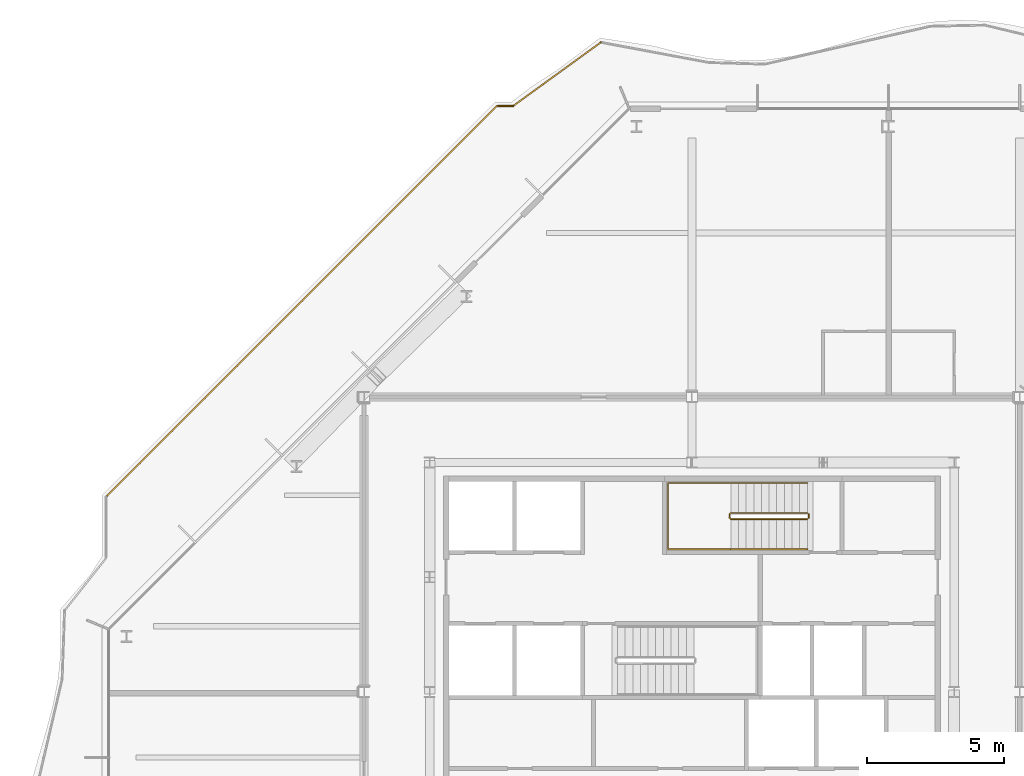
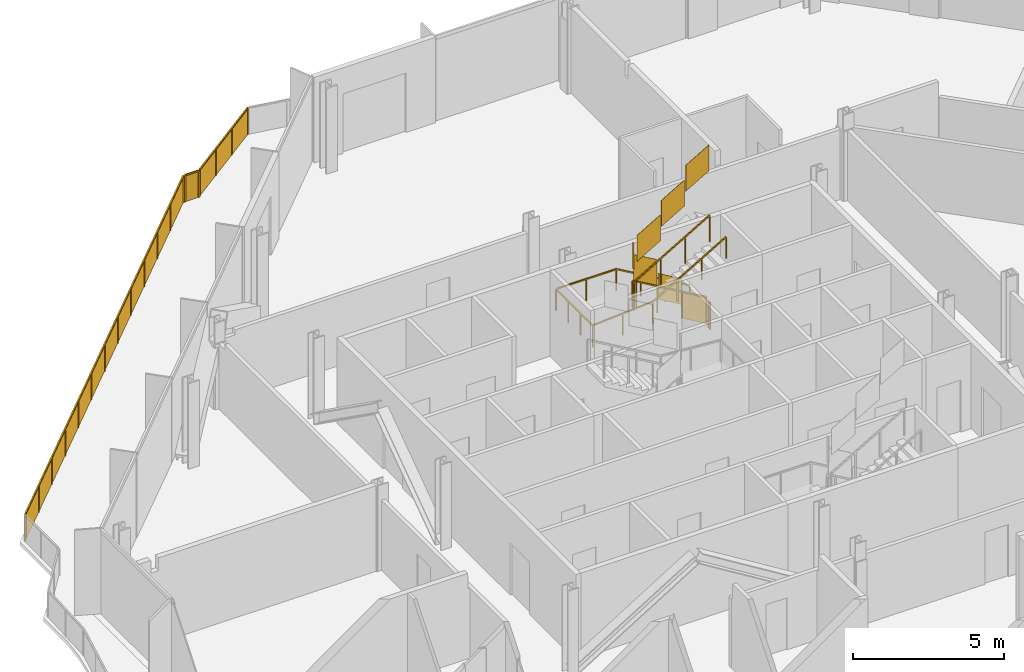
# One storey, part 16 of 17: 6 railings.
"""IFC4 building model written with IfcOpenShell, lengths in metres."""

from ifc_helpers import new_model, si_unit, direction, frame, origin, origin_2d, place, context, subcontext, project, spatial, polyline, rectangle, outline, extrude, material, type_object, element, save


model = new_model("IFC4")

# Units and contexts
model_context = context("Model", 3, precision=1e-05, world=origin(), true_north=direction((0.0, 1.0)))
body_context = subcontext(model_context, "Body", "Model", "MODEL_VIEW")
ifc_project = project(units=[si_unit("LENGTHUNIT", "METRE"), si_unit("AREAUNIT", "SQUARE_METRE"), si_unit("VOLUMEUNIT", "CUBIC_METRE"), si_unit("PLANEANGLEUNIT", "RADIAN"), si_unit("MASSUNIT", "GRAM", prefix="KILO")], contexts=[model_context])

# Site, building, storey
site_placement = place(None, origin())
site = spatial("IfcSite", under=ifc_project, at=site_placement, CompositionType="ELEMENT")
building_placement = place(site_placement, origin())
building = spatial("IfcBuilding", under=site, at=building_placement, Name="Cairn Pilgrim Tower", CompositionType="ELEMENT")
storey_placement = place(building_placement, frame((0.0, 0.0, 210.60009765625)))
storey = spatial("IfcBuildingStorey", under=building, at=storey_placement, Name="L53", CompositionType="ELEMENT", Elevation=210.60009765625)

# Railings
ifc_material_1 = material(Name="Bronze anodised aluminium rail and posts with laminated glass infill", Category="aluminium")
railing_type_1 = type_object("IfcRailingType", Name="BALCONY GUARD 1100", PredefinedType="GUARDRAIL", material=ifc_material_1)
railing_1_placement = place(storey_placement, frame((3.86669921875, 26.1806640625, 0.0)))
element("IfcRailing", 1, at=railing_1_placement, inside=storey, type_object=railing_type_1, Name="Balcony guard BG-12", PredefinedType="GUARDRAIL", context=body_context, shape_type="SweptSolid", body=[
    extrude(rectangle(XDim=0.050048828125, YDim=0.050048828125, at=origin_2d()), frame((0.0, 0.0, 1.0751953125), z_axis=(-0.80956148322, -0.58703509681, 0.0), x_axis=(0.58703509681, -0.80956148322, 0.0)), (0.0, 0.0, 1.0), 3.91015625),
    extrude(rectangle(XDim=0.050048828125, YDim=0.050048828125, at=origin_2d()), origin(), (0.0, 0.0, 1.0), 1.050048828125),
    extrude(rectangle(XDim=0.050048828125, YDim=0.050048828125, at=origin_2d()), frame((-1.05517578125, -0.76513671875, 0.0)), (0.0, 0.0, 1.0), 1.050048828125),
    extrude(rectangle(XDim=0.050048828125, YDim=0.050048828125, at=origin_2d()), frame((-2.1103515625, -1.5302734375, 0.0)), (0.0, 0.0, 1.0), 1.050048828125),
    extrude(rectangle(XDim=0.050048828125, YDim=0.050048828125, at=origin_2d()), frame((-3.16552734375, -2.29541015625, 0.0)), (0.0, 0.0, 1.0), 1.050048828125),
    extrude(outline(polyline([(0.02490234375, 0.0), (1.2783203125, 0.0), (1.2783203125, 1.050048828125), (0.02490234375, 1.050048828125), (0.02490234375, 0.0)])), frame((0.00341796875, -0.0048828125, 0.0), z_axis=(-0.58703509681, 0.80956148322, 0.0), x_axis=(-0.80956148322, -0.58703509681, 0.0)), (0.0, 0.0, 1.0), 0.011962890625),
    extrude(outline(polyline([(0.02490234375, 0.0), (1.2783203125, 0.0), (1.2783203125, 1.050048828125), (0.02490234375, 1.050048828125), (0.02490234375, 0.0)])), frame((-1.0517578125, -0.77001953125, 0.0), z_axis=(-0.58703509681, 0.80956148322, 0.0), x_axis=(-0.80956148322, -0.58703509681, 0.0)), (0.0, 0.0, 1.0), 0.011962890625),
    extrude(outline(polyline([(0.02490234375, 0.0), (1.2783203125, 0.0), (1.2783203125, 1.050048828125), (0.02490234375, 1.050048828125), (0.02490234375, 0.0)])), frame((-2.10693359375, -1.53515625, 0.0), z_axis=(-0.58703509681, 0.80956148322, 0.0), x_axis=(-0.80956148322, -0.58703509681, 0.0)), (0.0, 0.0, 1.0), 0.011962890625),
])
railing_2_placement = place(storey_placement, frame((0.652587890625, 23.85009765625, 0.0)))
element("IfcRailing", 2, at=railing_2_placement, inside=storey, type_object=railing_type_1, Name="Balcony guard BG-13", PredefinedType="GUARDRAIL", context=body_context, shape_type="SweptSolid", body=[
    extrude(rectangle(XDim=0.050048828125, YDim=0.050048828125, at=origin_2d()), frame((0.0, 0.0, 1.0751953125), z_axis=(-1.0, 0.0, 0.0), x_axis=(0.0, -1.0, 0.0)), (0.0, 0.0, 1.0), 0.530517578125),
    extrude(rectangle(XDim=0.050048828125, YDim=0.050048828125, at=origin_2d()), origin(), (0.0, 0.0, 1.0), 1.050048828125),
    extrude(rectangle(XDim=0.050048828125, YDim=0.050048828125, at=origin_2d()), frame((-0.530517578125, 0.0, 0.0)), (0.0, 0.0, 1.0), 1.050048828125),
    extrude(outline(polyline([(0.02490234375, 0.0), (0.50537109375, 0.0), (0.50537109375, 1.050048828125), (0.02490234375, 1.050048828125), (0.02490234375, 0.0)])), frame((0.0, -0.005859375, 0.0), z_axis=(0.0, 1.0, 0.0), x_axis=(-1.0, 0.0, 0.0)), (0.0, 0.0, 1.0), 0.011962890625),
])
railing_3_placement = place(storey_placement, frame((0.06201171875, 23.85009765625, 0.0)))
element("IfcRailing", 3, at=railing_3_placement, inside=storey, type_object=railing_type_1, Name="Balcony guard BG-14", PredefinedType="GUARDRAIL", context=body_context, shape_type="SweptSolid", body=[
    extrude(rectangle(XDim=0.050048828125, YDim=0.050048828125, at=origin_2d()), frame((0.0, 0.0, 1.0751953125), z_axis=(-0.707100732188, -0.707112830134, 0.0), x_axis=(0.707112830134, -0.707100732188, 0.0)), (0.0, 0.0, 1.0), 20.180419921875),
    extrude(rectangle(XDim=0.050048828125, YDim=0.050048828125, at=origin_2d()), origin(), (0.0, 0.0, 1.0), 1.050048828125),
    extrude(rectangle(XDim=0.050048828125, YDim=0.050048828125, at=origin_2d()), frame((-1.189208984375, -1.189208984375, 0.0)), (0.0, 0.0, 1.0), 1.050048828125),
    extrude(rectangle(XDim=0.050048828125, YDim=0.050048828125, at=origin_2d()), frame((-2.378173828125, -2.37841796875, 0.0)), (0.0, 0.0, 1.0), 1.050048828125),
    extrude(rectangle(XDim=0.050048828125, YDim=0.050048828125, at=origin_2d()), frame((-3.5673828125, -3.5673828125, 0.0)), (0.0, 0.0, 1.0), 1.050048828125),
    extrude(rectangle(XDim=0.050048828125, YDim=0.050048828125, at=origin_2d()), frame((-4.756591796875, -4.756591796875, 0.0)), (0.0, 0.0, 1.0), 1.050048828125),
    extrude(rectangle(XDim=0.050048828125, YDim=0.050048828125, at=origin_2d()), frame((-5.945556640625, -5.94580078125, 0.0)), (0.0, 0.0, 1.0), 1.050048828125),
    extrude(rectangle(XDim=0.050048828125, YDim=0.050048828125, at=origin_2d()), frame((-7.134765625, -7.134765625, 0.0)), (0.0, 0.0, 1.0), 1.050048828125),
    extrude(rectangle(XDim=0.050048828125, YDim=0.050048828125, at=origin_2d()), frame((-8.323974609375, -8.323974609375, 0.0)), (0.0, 0.0, 1.0), 1.050048828125),
    extrude(rectangle(XDim=0.050048828125, YDim=0.050048828125, at=origin_2d()), frame((-9.512939453125, -9.51318359375, 0.0)), (0.0, 0.0, 1.0), 1.050048828125),
    extrude(rectangle(XDim=0.050048828125, YDim=0.050048828125, at=origin_2d()), frame((-10.7021484375, -10.702392578125, 0.0)), (0.0, 0.0, 1.0), 1.050048828125),
    extrude(rectangle(XDim=0.050048828125, YDim=0.050048828125, at=origin_2d()), frame((-11.891357421875, -11.8916015625, 0.0)), (0.0, 0.0, 1.0), 1.050048828125),
    extrude(rectangle(XDim=0.050048828125, YDim=0.050048828125, at=origin_2d()), frame((-13.080322265625, -13.08056640625, 0.0)), (0.0, 0.0, 1.0), 1.050048828125),
    extrude(rectangle(XDim=0.050048828125, YDim=0.050048828125, at=origin_2d()), frame((-14.26953125, -14.269775390625, 0.0)), (0.0, 0.0, 1.0), 1.050048828125),
    extrude(outline(polyline([(0.02490234375, 0.0), (1.65673828125, 0.0), (1.65673828125, 1.050048828125), (0.02490234375, 1.050048828125), (0.02490234375, 0.0)])), frame((0.004150390625, -0.004150390625, 0.0), z_axis=(-0.707112830134, 0.707100732188, 0.0), x_axis=(-0.707100732188, -0.707112830134, 0.0)), (0.0, 0.0, 1.0), 0.011962890625),
    extrude(outline(polyline([(0.02490234375, 0.0), (1.65673828125, 0.0), (1.65673828125, 1.050048828125), (0.02490234375, 1.050048828125), (0.02490234375, 0.0)])), frame((-1.184814453125, -1.193359375, 0.0), z_axis=(-0.707112830134, 0.707100732188, 0.0), x_axis=(-0.707100732188, -0.707112830134, 0.0)), (0.0, 0.0, 1.0), 0.011962890625),
    extrude(outline(polyline([(0.02490234375, 0.0), (1.65673828125, 0.0), (1.65673828125, 1.050048828125), (0.02490234375, 1.050048828125), (0.02490234375, 0.0)])), frame((-2.3740234375, -2.382568359375, 0.0), z_axis=(-0.707112830134, 0.707100732188, 0.0), x_axis=(-0.707100732188, -0.707112830134, 0.0)), (0.0, 0.0, 1.0), 0.011962890625),
    extrude(outline(polyline([(0.02490234375, 0.0), (1.65673828125, 0.0), (1.65673828125, 1.050048828125), (0.02490234375, 1.050048828125), (0.02490234375, 0.0)])), frame((-3.563232421875, -3.57177734375, 0.0), z_axis=(-0.707112830134, 0.707100732188, 0.0), x_axis=(-0.707100732188, -0.707112830134, 0.0)), (0.0, 0.0, 1.0), 0.011962890625),
    extrude(outline(polyline([(0.02490234375, 0.0), (1.65673828125, 0.0), (1.65673828125, 1.050048828125), (0.02490234375, 1.050048828125), (0.02490234375, 0.0)])), frame((-4.752197265625, -4.7607421875, 0.0), z_axis=(-0.707112830134, 0.707100732188, 0.0), x_axis=(-0.707100732188, -0.707112830134, 0.0)), (0.0, 0.0, 1.0), 0.011962890625),
    extrude(outline(polyline([(0.02490234375, 0.0), (1.65673828125, 0.0), (1.65673828125, 1.050048828125), (0.02490234375, 1.050048828125), (0.02490234375, 0.0)])), frame((-5.94140625, -5.949951171875, 0.0), z_axis=(-0.707112830134, 0.707100732188, 0.0), x_axis=(-0.707100732188, -0.707112830134, 0.0)), (0.0, 0.0, 1.0), 0.011962890625),
    extrude(outline(polyline([(0.02490234375, 0.0), (1.65673828125, 0.0), (1.65673828125, 1.050048828125), (0.02490234375, 1.050048828125), (0.02490234375, 0.0)])), frame((-7.130615234375, -7.13916015625, 0.0), z_axis=(-0.707112830134, 0.707100732188, 0.0), x_axis=(-0.707100732188, -0.707112830134, 0.0)), (0.0, 0.0, 1.0), 0.011962890625),
    extrude(outline(polyline([(0.02490234375, 0.0), (1.65673828125, 0.0), (1.65673828125, 1.050048828125), (0.02490234375, 1.050048828125), (0.02490234375, 0.0)])), frame((-8.319580078125, -8.328369140625, 0.0), z_axis=(-0.707112830134, 0.707100732188, 0.0), x_axis=(-0.707100732188, -0.707112830134, 0.0)), (0.0, 0.0, 1.0), 0.011962890625),
    extrude(outline(polyline([(0.02490234375, 0.0), (1.65673828125, 0.0), (1.65673828125, 1.050048828125), (0.02490234375, 1.050048828125), (0.02490234375, 0.0)])), frame((-9.5087890625, -9.517333984375, 0.0), z_axis=(-0.707112830134, 0.707100732188, 0.0), x_axis=(-0.707100732188, -0.707112830134, 0.0)), (0.0, 0.0, 1.0), 0.011962890625),
    extrude(outline(polyline([(0.02490234375, 0.0), (1.65673828125, 0.0), (1.65673828125, 1.050048828125), (0.02490234375, 1.050048828125), (0.02490234375, 0.0)])), frame((-10.697998046875, -10.70654296875, 0.0), z_axis=(-0.707112830134, 0.707100732188, 0.0), x_axis=(-0.707100732188, -0.707112830134, 0.0)), (0.0, 0.0, 1.0), 0.011962890625),
    extrude(outline(polyline([(0.02490234375, 0.0), (1.65673828125, 0.0), (1.65673828125, 1.050048828125), (0.02490234375, 1.050048828125), (0.02490234375, 0.0)])), frame((-11.886962890625, -11.895751953125, 0.0), z_axis=(-0.707112830134, 0.707100732188, 0.0), x_axis=(-0.707100732188, -0.707112830134, 0.0)), (0.0, 0.0, 1.0), 0.011962890625),
    extrude(outline(polyline([(0.02490234375, 0.0), (1.65673828125, 0.0), (1.65673828125, 1.050048828125), (0.02490234375, 1.050048828125), (0.02490234375, 0.0)])), frame((-13.076171875, -13.0849609375, 0.0), z_axis=(-0.707112830134, 0.707100732188, 0.0), x_axis=(-0.707100732188, -0.707112830134, 0.0)), (0.0, 0.0, 1.0), 0.011962890625),
])
ifc_material_2 = material(Name="Painted steel", Category="steel")
railing_type_2 = type_object("IfcRailingType", Name="STAIR GUARD 1100", PredefinedType="GUARDRAIL", material=ifc_material_2)
railing_4_placement = place(storey_placement, frame((11.425048828125, 8.949951171875, 0.16357421875)))
element("IfcRailing", 4, at=railing_4_placement, inside=storey, type_object=railing_type_2, Name="L53 ST-C stair guard 1", PredefinedType="GUARDRAIL", context=body_context, shape_type="SweptSolid", body=[
    extrude(rectangle(XDim=0.048095703125, YDim=0.048095703125, at=origin_2d()), frame((0.0, 0.0, 1.076171875), z_axis=(-0.863393664356, 0.0, 0.504530851732), x_axis=(0.0, -1.0, 0.0)), (0.0, 0.0, 1.0), 3.2431640625),
    extrude(rectangle(XDim=0.048095703125, YDim=0.048095703125, at=origin_2d()), frame((-2.800048828125, 0.0, 2.71240234375), z_axis=(-0.707106781187, -0.707106781187, 0.0), x_axis=(0.707106781187, -0.707106781187, 0.0)), (0.0, 0.0, 1.0), 0.07080078125),
    extrude(rectangle(XDim=0.048095703125, YDim=0.048095703125, at=origin_2d()), frame((-2.85009765625, -0.050048828125, 2.71240234375), z_axis=(0.0, -1.0, 0.0), x_axis=(1.0, 0.0, 0.0)), (0.0, 0.0, 1.0), 0.125),
    extrude(rectangle(XDim=0.048095703125, YDim=0.048095703125, at=origin_2d()), frame((-2.85009765625, -0.175048828125, 2.71240234375), z_axis=(0.280563532951, -0.279194930351, 0.91833234444), x_axis=(0.705375805398, 0.708833529934, 0.0)), (0.0, 0.0, 1.0), 0.178466796875),
    extrude(rectangle(XDim=0.048095703125, YDim=0.048095703125, at=origin_2d()), frame((-2.800048828125, -0.224853515625, 2.8759765625), z_axis=(0.863393664356, 0.0, 0.504530851732), x_axis=(0.0, 1.0, 0.0)), (0.0, 0.0, 1.0), 3.2431640625),
    extrude(rectangle(XDim=0.0419921875, YDim=0.0419921875, at=origin_2d()), origin(), (0.0, 0.0, 1.0), 1.052001953125),
    extrude(rectangle(XDim=0.0419921875, YDim=0.0419921875, at=origin_2d()), frame((-0.933349609375, 0.0, 0.54541015625)), (0.0, 0.0, 1.0), 1.052001953125),
    extrude(rectangle(XDim=0.0419921875, YDim=0.0419921875, at=origin_2d()), frame((-1.86669921875, 0.0, 1.0908203125)), (0.0, 0.0, 1.0), 1.052001953125),
    extrude(rectangle(XDim=0.0419921875, YDim=0.0419921875, at=origin_2d()), frame((-2.800048828125, 0.0, 1.63623046875)), (0.0, 0.0, 1.0), 1.052001953125),
    extrude(rectangle(XDim=0.0419921875, YDim=0.0419921875, at=origin_2d()), frame((-2.85009765625, -0.050048828125, 1.63623046875)), (0.0, 0.0, 1.0), 1.052001953125),
    extrude(rectangle(XDim=0.0419921875, YDim=0.0419921875, at=origin_2d()), frame((-2.85009765625, -0.175048828125, 1.63623046875)), (0.0, 0.0, 1.0), 1.052001953125),
    extrude(rectangle(XDim=0.0419921875, YDim=0.0419921875, at=origin_2d()), frame((-2.800048828125, -0.224853515625, 1.800048828125)), (0.0, 0.0, 1.0), 1.052001953125),
    extrude(rectangle(XDim=0.0419921875, YDim=0.0419921875, at=origin_2d()), frame((-1.86669921875, -0.224853515625, 2.345458984375)), (0.0, 0.0, 1.0), 1.052001953125),
    extrude(rectangle(XDim=0.0419921875, YDim=0.0419921875, at=origin_2d()), frame((-0.933349609375, -0.224853515625, 2.890869140625)), (0.0, 0.0, 1.0), 1.052001953125),
    extrude(rectangle(XDim=0.0419921875, YDim=0.0419921875, at=origin_2d()), frame((0.0, -0.224853515625, 3.436279296875)), (0.0, 0.0, 1.0), 1.052001953125),
    extrude(outline(polyline([(0.02099609375, 0.01220703125), (0.912353515625, 0.533203125), (0.912353515625, 1.585205078125), (0.02099609375, 1.064208984375), (0.02099609375, 0.01220703125)])), frame((0.0, -0.005859375, 0.0), z_axis=(0.0, 1.0, 0.0), x_axis=(-1.0, 0.0, 0.0)), (0.0, 0.0, 1.0), 0.011962890625),
    extrude(outline(polyline([(0.02099609375, 0.5576171875), (0.912353515625, 1.07861328125), (0.912353515625, 2.130615234375), (0.02099609375, 1.609619140625), (0.02099609375, 0.5576171875)])), frame((-0.933349609375, -0.005859375, 0.54541015625), z_axis=(0.0, 1.0, 0.0), x_axis=(-1.0, 0.0, 0.0)), (0.0, 0.0, 1.0), 0.011962890625),
    extrude(outline(polyline([(0.02099609375, 1.10302734375), (0.912353515625, 1.6240234375), (0.912353515625, 2.676025390625), (0.02099609375, 2.155029296875), (0.02099609375, 1.10302734375)])), frame((-1.86669921875, -0.005859375, 1.0908203125), z_axis=(0.0, 1.0, 0.0), x_axis=(-1.0, 0.0, 0.0)), (0.0, 0.0, 1.0), 0.011962890625),
    extrude(outline(polyline([(0.02099609375, 1.63623046875), (0.10400390625, 1.63623046875), (0.10400390625, 2.688232421875), (0.02099609375, 2.688232421875), (0.02099609375, 1.63623046875)])), frame((-2.84423828125, -0.050048828125, 1.63623046875), z_axis=(-1.0, 0.0, 0.0), x_axis=(0.0, -1.0, 0.0)), (0.0, 0.0, 1.0), 0.011962890625),
    extrude(outline(polyline([(0.02099609375, 1.812255859375), (0.912353515625, 2.333251953125), (0.912353515625, 3.38525390625), (0.02099609375, 2.8642578125), (0.02099609375, 1.812255859375)])), frame((-2.800048828125, -0.21875, 1.800048828125), z_axis=(0.0, -1.0, 0.0), x_axis=(1.0, 0.0, 0.0)), (0.0, 0.0, 1.0), 0.011962890625),
    extrude(outline(polyline([(0.02099609375, 2.357666015625), (0.912353515625, 2.878662109375), (0.912353515625, 3.9306640625), (0.02099609375, 3.40966796875), (0.02099609375, 2.357666015625)])), frame((-1.86669921875, -0.21875, 2.345458984375), z_axis=(0.0, -1.0, 0.0), x_axis=(1.0, 0.0, 0.0)), (0.0, 0.0, 1.0), 0.011962890625),
    extrude(outline(polyline([(0.02099609375, 2.903076171875), (0.912353515625, 3.424072265625), (0.912353515625, 4.47607421875), (0.02099609375, 3.955078125), (0.02099609375, 2.903076171875)])), frame((-0.933349609375, -0.21875, 2.890869140625), z_axis=(0.0, -1.0, 0.0), x_axis=(1.0, 0.0, 0.0)), (0.0, 0.0, 1.0), 0.011962890625),
])
railing_5_placement = place(storey_placement, frame((11.47509765625, 8.89990234375, 0.0)))
element("IfcRailing", 5, at=railing_5_placement, inside=storey, type_object=railing_type_2, Name="L53 ST-C stair guard 2", PredefinedType="GUARDRAIL", context=body_context, shape_type="SweptSolid", body=[
    extrude(rectangle(XDim=0.048095703125, YDim=0.048095703125, at=origin_2d()), frame((0.0, 0.0, 1.076171875), z_axis=(0.0, -1.0, 0.0), x_axis=(1.0, 0.0, 0.0)), (0.0, 0.0, 1.0), 0.125),
    extrude(rectangle(XDim=0.0419921875, YDim=0.0419921875, at=origin_2d()), origin(), (0.0, 0.0, 1.0), 1.052001953125),
    extrude(rectangle(XDim=0.0419921875, YDim=0.0419921875, at=origin_2d()), frame((0.0, -0.125, 0.0)), (0.0, 0.0, 1.0), 1.052001953125),
    extrude(outline(polyline([(0.02099609375, 0.0), (0.10400390625, 0.0), (0.10400390625, 1.052001953125), (0.02099609375, 1.052001953125), (0.02099609375, 0.0)])), frame((0.005859375, 0.0, 0.0), z_axis=(-1.0, 0.0, 0.0), x_axis=(0.0, -1.0, 0.0)), (0.0, 0.0, 1.0), 0.011962890625),
])
railing_type_3 = type_object("IfcRailingType", Name="STAIR HANDRAIL 900", PredefinedType="HANDRAIL", material=ifc_material_2)
railing_6_placement = place(storey_placement, frame((11.425048828125, 10.050048828125, 0.16357421875)))
element("IfcRailing", 6, at=railing_6_placement, inside=storey, type_object=railing_type_3, Name="L53 ST-C stair handrail 1", PredefinedType="HANDRAIL", context=body_context, shape_type="SweptSolid", body=[
    extrude(rectangle(XDim=0.048095703125, YDim=0.048095703125, at=origin_2d()), frame((0.0, 0.0, 0.8759765625), z_axis=(-0.863393664356, 0.0, 0.504530851732), x_axis=(0.0, -1.0, 0.0)), (0.0, 0.0, 1.0), 3.2431640625),
    extrude(rectangle(XDim=0.048095703125, YDim=0.048095703125, at=origin_2d()), frame((-2.800048828125, 0.0, 2.51220703125), z_axis=(-1.0, 0.0, 0.0), x_axis=(0.0, -1.0, 0.0)), (0.0, 0.0, 1.0), 2.300048828125),
    extrude(rectangle(XDim=0.048095703125, YDim=0.048095703125, at=origin_2d()), frame((-5.10009765625, 0.0, 2.51220703125), z_axis=(0.0, -1.0, 0.0), x_axis=(1.0, 0.0, 0.0)), (0.0, 0.0, 1.0), 2.425048828125),
    extrude(rectangle(XDim=0.048095703125, YDim=0.048095703125, at=origin_2d()), frame((-5.10009765625, -2.425048828125, 2.51220703125), z_axis=(0.99747319029, 0.0, 0.071043892441), x_axis=(0.0, 1.0, 0.0)), (0.0, 0.0, 1.0), 2.305908203125),
    extrude(rectangle(XDim=0.048095703125, YDim=0.048095703125, at=origin_2d()), frame((-2.800048828125, -2.425048828125, 2.67578125), z_axis=(0.863393664356, 0.0, 0.504530851732), x_axis=(0.0, 1.0, 0.0)), (0.0, 0.0, 1.0), 3.2431640625),
    extrude(rectangle(XDim=0.0419921875, YDim=0.0419921875, at=origin_2d()), origin(), (0.0, 0.0, 1.0), 0.851806640625),
    extrude(rectangle(XDim=0.0419921875, YDim=0.0419921875, at=origin_2d()), frame((-0.933349609375, 0.0, 0.54541015625)), (0.0, 0.0, 1.0), 0.851806640625),
    extrude(rectangle(XDim=0.0419921875, YDim=0.0419921875, at=origin_2d()), frame((-1.86669921875, 0.0, 1.0908203125)), (0.0, 0.0, 1.0), 0.851806640625),
    extrude(rectangle(XDim=0.0419921875, YDim=0.0419921875, at=origin_2d()), frame((-2.800048828125, 0.0, 1.63623046875)), (0.0, 0.0, 1.0), 0.851806640625),
    extrude(rectangle(XDim=0.0419921875, YDim=0.0419921875, at=origin_2d()), frame((-3.9501953125, 0.0, 1.63623046875)), (0.0, 0.0, 1.0), 0.851806640625),
    extrude(rectangle(XDim=0.0419921875, YDim=0.0419921875, at=origin_2d()), frame((-5.10009765625, 0.0, 1.63623046875)), (0.0, 0.0, 1.0), 0.851806640625),
    extrude(rectangle(XDim=0.0419921875, YDim=0.0419921875, at=origin_2d()), frame((-5.10009765625, -0.808349609375, 1.63623046875)), (0.0, 0.0, 1.0), 0.851806640625),
    extrude(rectangle(XDim=0.0419921875, YDim=0.0419921875, at=origin_2d()), frame((-5.10009765625, -1.61669921875, 1.63623046875)), (0.0, 0.0, 1.0), 0.851806640625),
    extrude(rectangle(XDim=0.0419921875, YDim=0.0419921875, at=origin_2d()), frame((-5.10009765625, -2.425048828125, 1.63623046875)), (0.0, 0.0, 1.0), 0.851806640625),
    extrude(rectangle(XDim=0.0419921875, YDim=0.0419921875, at=origin_2d()), frame((-3.9501953125, -2.425048828125, 1.71826171875)), (0.0, 0.0, 1.0), 0.851806640625),
    extrude(rectangle(XDim=0.0419921875, YDim=0.0419921875, at=origin_2d()), frame((-2.800048828125, -2.425048828125, 1.800048828125)), (0.0, 0.0, 1.0), 0.851806640625),
    extrude(rectangle(XDim=0.0419921875, YDim=0.0419921875, at=origin_2d()), frame((-1.86669921875, -2.425048828125, 2.345458984375)), (0.0, 0.0, 1.0), 0.851806640625),
    extrude(rectangle(XDim=0.0419921875, YDim=0.0419921875, at=origin_2d()), frame((-0.933349609375, -2.425048828125, 2.890869140625)), (0.0, 0.0, 1.0), 0.851806640625),
    extrude(rectangle(XDim=0.0419921875, YDim=0.0419921875, at=origin_2d()), frame((0.0, -2.425048828125, 3.436279296875)), (0.0, 0.0, 1.0), 0.851806640625),
])

save(model, "model.ifc")
